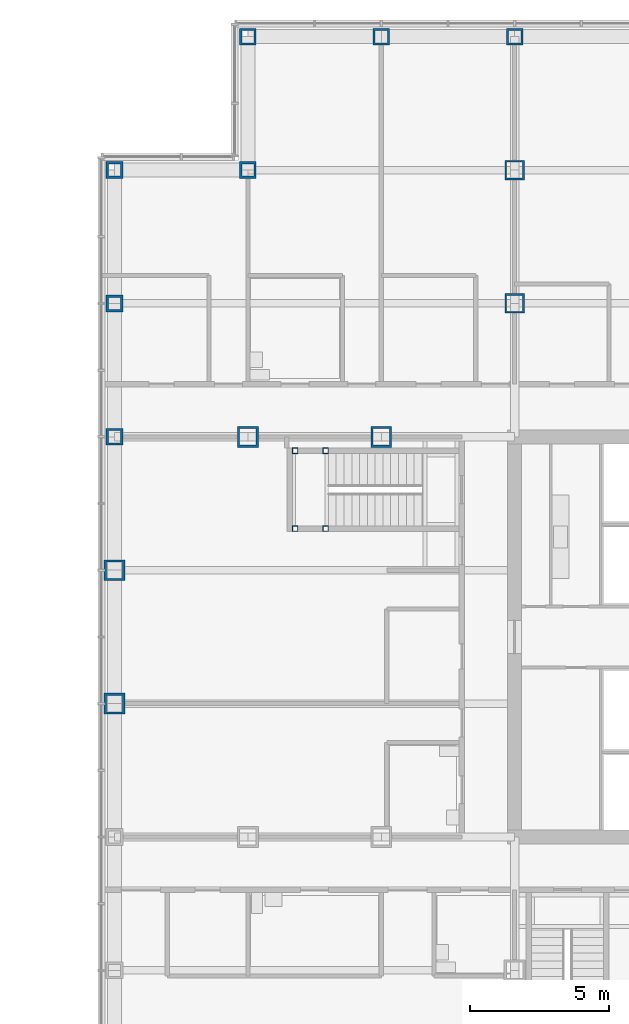
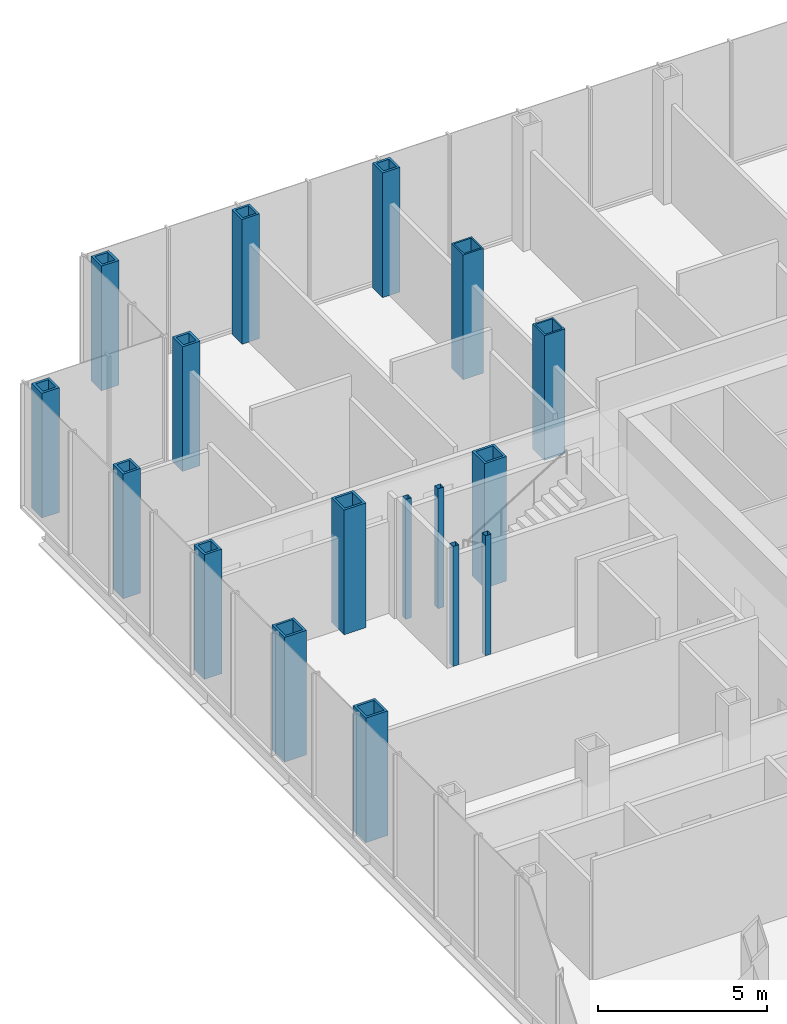
# One storey, part 5 of 24: 17 columns.
"""IFC4 building model written with IfcOpenShell, lengths in metres."""

import ifcopenshell
import ifcopenshell.guid

model = None  # the IFC model being written
_history = None  # IfcOwnerHistory: only IFC2X3 demands one
_inside = {}  # id of a spatial element -> (the spatial element, [elements in it])
_under = {}  # id of a project, library or spatial element -> (it, [spatial elements below it])
_declared = {}  # id of a project -> (the project, [libraries it declares])
_typed = {}  # id of a type object -> (the type object, [elements of that type])
_made_of = {}  # id of a material, layer set ... -> (it, [elements and type objects made of it])


def new_model(schema):
    """Start an empty IFC model of exactly this schema.

    Asked for "IFC4X3", IfcOpenShell would pick the latest addendum, in which some entities
    have other attributes; the version numbers below select the first issue.
    IFC2X3 requires an IfcOwnerHistory on every rooted entity: one is made here for all.
    """
    global model, _history
    if schema == "IFC4X3":
        model = ifcopenshell.file(schema_version=(4, 3, 0, 0))
    else:
        model = ifcopenshell.file(schema=schema)
    _inside.clear()
    _under.clear()
    _declared.clear()
    _typed.clear()
    _made_of.clear()
    _history = None
    if model.schema == "IFC2X3":
        org = make("IfcOrganization", Name="unknown")
        user = make(
            "IfcPersonAndOrganization",
            ThePerson=make("IfcPerson", FamilyName="unknown"),
            TheOrganization=org,
        )
        app = make(
            "IfcApplication",
            ApplicationDeveloper=org,
            Version="unknown",
            ApplicationFullName="unknown",
            ApplicationIdentifier="unknown",
        )
        _history = make(
            "IfcOwnerHistory",
            OwningUser=user,
            OwningApplication=app,
            ChangeAction="ADDED",
            CreationDate=0,
        )
    return model


def make(cls, **values):
    """One entity of the class cls with the attributes given. An attribute that is None is left unset."""
    return model.create_entity(
        cls, **{name: value for name, value in values.items() if value is not None}
    )


def rooted(cls, **values):
    """An entity with a GlobalId (a new one), such as an element, a storey or a relation."""
    return make(cls, GlobalId=ifcopenshell.guid.new(), OwnerHistory=_history, **values)


def si_unit(unit_type, name, prefix=None):
    """IfcSIUnit, for example si_unit("LENGTHUNIT", "METRE", prefix="MILLI")."""
    return make("IfcSIUnit", UnitType=unit_type, Prefix=prefix, Name=name)


def assignment(units):
    """IfcUnitAssignment: the units of a project."""
    return None if units is None else make("IfcUnitAssignment", Units=units)


def point(xyz):
    """IfcCartesianPoint."""
    return None if xyz is None else make("IfcCartesianPoint", Coordinates=xyz)


def direction(xyz):
    """IfcDirection."""
    return None if xyz is None else make("IfcDirection", DirectionRatios=xyz)


def frame(location, z_axis=None, x_axis=None):
    """IfcAxis2Placement3D, a coordinate frame: its origin and axes. An axis left out is left unset."""
    return make(
        "IfcAxis2Placement3D",
        Location=point(location),
        Axis=direction(z_axis),
        RefDirection=direction(x_axis),
    )


def frame_2d(location, x_axis=None):
    """IfcAxis2Placement2D, a coordinate frame in the plane: its origin and x axis."""
    return make(
        "IfcAxis2Placement2D", Location=point(location), RefDirection=direction(x_axis)
    )


def origin():
    """The frame at (0, 0, 0) with its axes left unset."""
    return frame((0.0, 0.0, 0.0))


def origin_2d():
    """The frame at (0, 0) in the plane with its x axis left unset."""
    return frame_2d((0.0, 0.0))


def place(relative_to, where):
    """IfcLocalPlacement: puts the frame where relative to a parent placement (None: the world)."""
    return make(
        "IfcLocalPlacement", PlacementRelTo=relative_to, RelativePlacement=where
    )


def context(
    kind, dimensions, precision=None, world=None, true_north=None, identifier=None
):
    """IfcGeometricRepresentationContext, for example the 3D "Model" context."""
    return make(
        "IfcGeometricRepresentationContext",
        ContextIdentifier=identifier,
        ContextType=kind,
        CoordinateSpaceDimension=dimensions,
        Precision=precision,
        WorldCoordinateSystem=world,
        TrueNorth=true_north,
    )


def subcontext(parent, identifier, kind, view, scale=None):
    """IfcGeometricRepresentationSubContext, for example "Body" below "Model"."""
    return make(
        "IfcGeometricRepresentationSubContext",
        ContextIdentifier=identifier,
        ContextType=kind,
        ParentContext=parent,
        TargetScale=scale,
        TargetView=view,
    )


def project(units=None, contexts=None):
    """IfcProject with its units and contexts."""
    return rooted(
        "IfcProject",
        Name="project",
        RepresentationContexts=contexts,
        UnitsInContext=assignment(units),
    )


def spatial(cls, under=None, at=None, **own):
    """A site, building, storey or space (cls), placed at a placement, below another one or the project."""
    s = rooted(cls, ObjectPlacement=at, **own)
    if under is not None:
        _under.setdefault(under.id(), (under, []))[1].append(s)
    return s


def profile(cls, at=None, kind="AREA", **sizes):
    """A parametric profile (cls). Its sizes go by their IFC names, for example OverallWidth=200.0."""
    return make(cls, ProfileType=kind, Position=at, **sizes)


def hollow_rectangle(**sizes):
    """IfcRectangleHollowProfileDef."""
    return profile("IfcRectangleHollowProfileDef", **sizes)


def extrude(swept, where, along, depth):
    """IfcExtrudedAreaSolid: the profile swept, set in the frame where, extruded along a direction by depth."""
    return make(
        "IfcExtrudedAreaSolid",
        SweptArea=swept,
        Position=where,
        ExtrudedDirection=direction(along),
        Depth=depth,
    )


def shape(context_of_items, identifier, shape_type, items):
    """IfcShapeRepresentation: the items that make up one representation, for example the "Body"."""
    return make(
        "IfcShapeRepresentation",
        ContextOfItems=context_of_items,
        RepresentationIdentifier=identifier,
        RepresentationType=shape_type,
        Items=items,
    )


def material(Name=None, Category=None):
    """IfcMaterial."""
    return make("IfcMaterial", Name=Name, Category=Category)


def material_profile(
    of_material, cross_section, Name=None, Category=None, Priority=None
):
    """IfcMaterialProfile: a cross section and its material."""
    return make(
        "IfcMaterialProfile",
        Name=Name,
        Material=of_material,
        Profile=cross_section,
        Priority=Priority,
        Category=Category,
    )


def profile_set(profiles, Name=None, composite=None):
    """IfcMaterialProfileSet."""
    return make(
        "IfcMaterialProfileSet",
        Name=Name,
        MaterialProfiles=profiles,
        CompositeProfile=composite,
    )


def made_of(thing, what):
    """Note that an element or type object is made of a material, layer set ...; save() writes the relation."""
    if what is not None:
        _made_of.setdefault(what.id(), (what, []))[1].append(thing)
    return thing


def type_object(cls, material=None, **own):
    """A type object (cls), such as IfcWallType, which elements share."""
    return made_of(rooted(cls, **own), material)


def element(
    cls,
    number,
    at=None,
    inside=None,
    cuts=None,
    type_object=None,
    material=None,
    context=None,
    identifier="Body",
    shape_type=None,
    held_by="IfcProductDefinitionShape",
    body=None,
    shapes=None,
    **own,
):
    """One element of the class cls, such as IfcWall. Its Tag is "e" and its number.

    at: its placement. inside: the storey or other place that contains it. cuts: it is an
    opening in that element (IfcRelVoidsElement). A single representation is given by context,
    identifier, shape_type and body (its items); several are given by shapes. held_by: the class
    of the entity that holds the representations. save() writes the other relations.
    """
    e = rooted(cls, Tag="e%d" % number, ObjectPlacement=at, **own)
    if body is not None:
        shapes = [shape(context, identifier, shape_type, body)]
    if shapes is not None:
        e.Representation = make(held_by, Representations=shapes)
    if inside is not None:
        _inside.setdefault(inside.id(), (inside, []))[1].append(e)
    if cuts is not None:
        rooted(
            "IfcRelVoidsElement", RelatingBuildingElement=cuts, RelatedOpeningElement=e
        )
    if type_object is not None:
        _typed.setdefault(type_object.id(), (type_object, []))[1].append(e)
    return made_of(e, material)


def aggregate(whole, parts):
    """IfcRelAggregates: a whole, such as a stair, and the parts it consists of."""
    return rooted("IfcRelAggregates", RelatingObject=whole, RelatedObjects=parts)


def save(model, path):
    """Write the relations noted so far, then the file.

    IfcRelAggregates (storeys below a building ...), IfcRelContainedInSpatialStructure (elements
    in a storey), IfcRelDefinesByType, IfcRelAssociatesMaterial and IfcRelDeclares: one each for
    every whole, place, type object, material and project.
    """
    for whole, parts in _under.values():
        aggregate(whole, parts)
    for where, things in _inside.values():
        rooted(
            "IfcRelContainedInSpatialStructure",
            RelatedElements=things,
            RelatingStructure=where,
        )
    for kind, things in _typed.values():
        rooted("IfcRelDefinesByType", RelatedObjects=things, RelatingType=kind)
    for what, things in _made_of.values():
        rooted("IfcRelAssociatesMaterial", RelatedObjects=things, RelatingMaterial=what)
    for by, libraries in _declared.values():
        rooted("IfcRelDeclares", RelatingContext=by, RelatedDefinitions=libraries)
    model.write(path)


model = new_model("IFC4")

# Units and contexts
model_context = context("Model", 3, precision=1e-05, world=origin(), true_north=direction((0.0, 1.0)))
body_context = subcontext(model_context, "Body", "Model", "MODEL_VIEW")
ifc_project = project(units=[si_unit("LENGTHUNIT", "METRE"), si_unit("AREAUNIT", "SQUARE_METRE"), si_unit("VOLUMEUNIT", "CUBIC_METRE"), si_unit("PLANEANGLEUNIT", "RADIAN"), si_unit("MASSUNIT", "GRAM", prefix="KILO")], contexts=[model_context])

# Site, building, storey
site_placement = place(None, origin())
site = spatial("IfcSite", under=ifc_project, at=site_placement, CompositionType="ELEMENT")
building_placement = place(site_placement, origin())
building = spatial("IfcBuilding", under=site, at=building_placement, Name="Kvirike Care Tower", CompositionType="ELEMENT")
storey_placement = place(building_placement, frame((0.0, 0.0, 22.5)))
storey = spatial("IfcBuildingStorey", under=building, at=storey_placement, Name="L05", CompositionType="ELEMENT", Elevation=22.5)

# Columns
ifc_material_1 = material(Name="Steel S460", Category="steel")
ifc_material_profile_1 = material_profile(ifc_material_1, hollow_rectangle(XDim=0.60009765625, YDim=0.60009765625, WallThickness=0.080078125, at=origin_2d()), Name="BX 600x600x80")
ifc_profile_set_1 = profile_set([ifc_material_profile_1], Name="Steel S460")
column_type_1 = type_object("IfcColumnType", Name="COLUMN BX 600x600x80", PredefinedType="COLUMN", material=ifc_profile_set_1)
for number, where, z_axis, x_axis, name in (
    (1, (0.0, 43.199951171875, 0.0), (0.0, 0.0, 1.0), (0.0, 1.0, 0.0), "Column K3 L05"),
    (2, (0.0, 48.0, 0.0), (0.0, 0.0, 1.0), (1.0, 0.0, 0.0), "Column L3 L05"),
    (3, (0.0, 52.800048828125, 0.0), (0.0, 0.0, 1.0), (0.0, 1.0, 0.0), "Column M3 L05"),
    (4, (4.800048828125, 52.800048828125, 0.0), (0.0, 0.0, 1.0), (0.0, 1.0, 0.0), "Column M4 L05"),
    (5, (4.800048828125, 57.60009765625, 0.0), (0.0, 0.0, 1.0), (0.0, 1.0, 0.0), "Column N4 L05"),
    (6, (9.60009765625, 57.60009765625, 0.0), (0.0, 0.0, 1.0), (0.0, 1.0, 0.0), "Column N5 L05"),
    (7, (14.39990234375, 57.60009765625, 0.0), (0.0, 0.0, 1.0), (0.0, 1.0, 0.0), "Column N6 L05"),
):
    element("IfcColumn", number, at=place(storey_placement, frame(where, z_axis=z_axis, x_axis=x_axis)), inside=storey, type_object=column_type_1, Name=name, PredefinedType="COLUMN", context=body_context, shape_type="SweptSolid", body=[
        extrude(hollow_rectangle(XDim=0.60009765625, YDim=0.60009765625, WallThickness=0.080078125, at=origin_2d()), origin(), (0.0, 0.0, 1.0), 4.5),
    ])
ifc_material_2 = material(Name="Steel S460", Category="steel")
ifc_material_profile_2 = material_profile(ifc_material_2, hollow_rectangle(XDim=0.699951171875, YDim=0.699951171875, WallThickness=0.06005859375, at=origin_2d()), Name="BX 700x700x60")
ifc_profile_set_2 = profile_set([ifc_material_profile_2], Name="Steel S460")
column_type_2 = type_object("IfcColumnType", Name="COLUMN BX 700x700x60", PredefinedType="COLUMN", material=ifc_profile_set_2)
for number, where, z_axis, x_axis, name in (
    (8, (14.39990234375, 48.0, 0.0), (0.0, 0.0, 1.0), (1.0, 0.0, 0.0), "Column L6 L05"),
    (9, (14.39990234375, 52.800048828125, 0.0), (0.0, 0.0, 1.0), (1.0, 0.0, 0.0), "Column M6 L05"),
):
    element("IfcColumn", number, at=place(storey_placement, frame(where, z_axis=z_axis, x_axis=x_axis)), inside=storey, type_object=column_type_2, Name=name, PredefinedType="COLUMN", context=body_context, shape_type="SweptSolid", body=[
        extrude(hollow_rectangle(XDim=0.699951171875, YDim=0.699951171875, WallThickness=0.06005859375, at=origin_2d()), origin(), (0.0, 0.0, 1.0), 4.5),
    ])
ifc_material_3 = material(Name="Steel S460", Category="steel")
ifc_material_profile_3 = material_profile(ifc_material_3, hollow_rectangle(XDim=0.75, YDim=0.75, WallThickness=0.080078125, at=origin_2d()), Name="BX 750x750x80")
ifc_profile_set_3 = profile_set([ifc_material_profile_3], Name="Steel S460")
column_type_3 = type_object("IfcColumnType", Name="COLUMN BX 750x750x80", PredefinedType="COLUMN", material=ifc_profile_set_3)
for number, where, z_axis, x_axis, name in (
    (10, (0.0, 33.60009765625, 0.0), (0.0, 0.0, 1.0), (1.0, 0.0, 0.0), "Column H3 L05"),
    (11, (0.0, 38.39990234375, 0.0), (0.0, 0.0, 1.0), (1.0, 0.0, 0.0), "Column J3 L05"),
    (12, (4.800048828125, 43.199951171875, 0.0), (0.0, 0.0, 1.0), (0.0, 1.0, 0.0), "Column K4 L05"),
    (13, (9.60009765625, 43.199951171875, 0.0), (0.0, 0.0, 1.0), (0.0, 1.0, 0.0), "Column K5 L05"),
):
    element("IfcColumn", number, at=place(storey_placement, frame(where, z_axis=z_axis, x_axis=x_axis)), inside=storey, type_object=column_type_3, Name=name, PredefinedType="COLUMN", context=body_context, shape_type="SweptSolid", body=[
        extrude(hollow_rectangle(XDim=0.75, YDim=0.75, WallThickness=0.080078125, at=origin_2d()), origin(), (0.0, 0.0, 1.0), 4.5),
    ])
ifc_material_4 = material(Name="Steel S460", Category="steel")
ifc_material_profile_4 = material_profile(ifc_material_4, hollow_rectangle(XDim=0.199951171875, YDim=0.199951171875, WallThickness=0.008056640625, at=origin_2d()), Name="SHS 200x200x8")
ifc_profile_set_4 = profile_set([ifc_material_profile_4], Name="Steel S460")
column_type_4 = type_object("IfcColumnType", Name="STAIR POST SHS 200x200x8", PredefinedType="COLUMN", material=ifc_profile_set_4)
for number, where, z_axis, x_axis, name in (
    (14, (6.5, 42.699951171875, 0.0), (0.0, 0.0, 1.0), (1.0, 0.0, 0.0), "Stair 1 post 1 L05"),
    (15, (6.5, 39.89990234375, 0.0), (0.0, 0.0, 1.0), (1.0, 0.0, 0.0), "Stair 1 post 2 L05"),
    (16, (7.60009765625, 42.699951171875, 0.0), (0.0, 0.0, 1.0), (1.0, 0.0, 0.0), "Stair 1 post 3 L05"),
    (17, (7.60009765625, 39.89990234375, 0.0), (0.0, 0.0, 1.0), (1.0, 0.0, 0.0), "Stair 1 post 4 L05"),
):
    element("IfcColumn", number, at=place(storey_placement, frame(where, z_axis=z_axis, x_axis=x_axis)), inside=storey, type_object=column_type_4, Name=name, PredefinedType="COLUMN", context=body_context, shape_type="SweptSolid", body=[
        extrude(hollow_rectangle(XDim=0.199951171875, YDim=0.199951171875, WallThickness=0.008056640625, at=origin_2d()), origin(), (0.0, 0.0, 1.0), 4.330078125),
    ])

save(model, "model.ifc")
